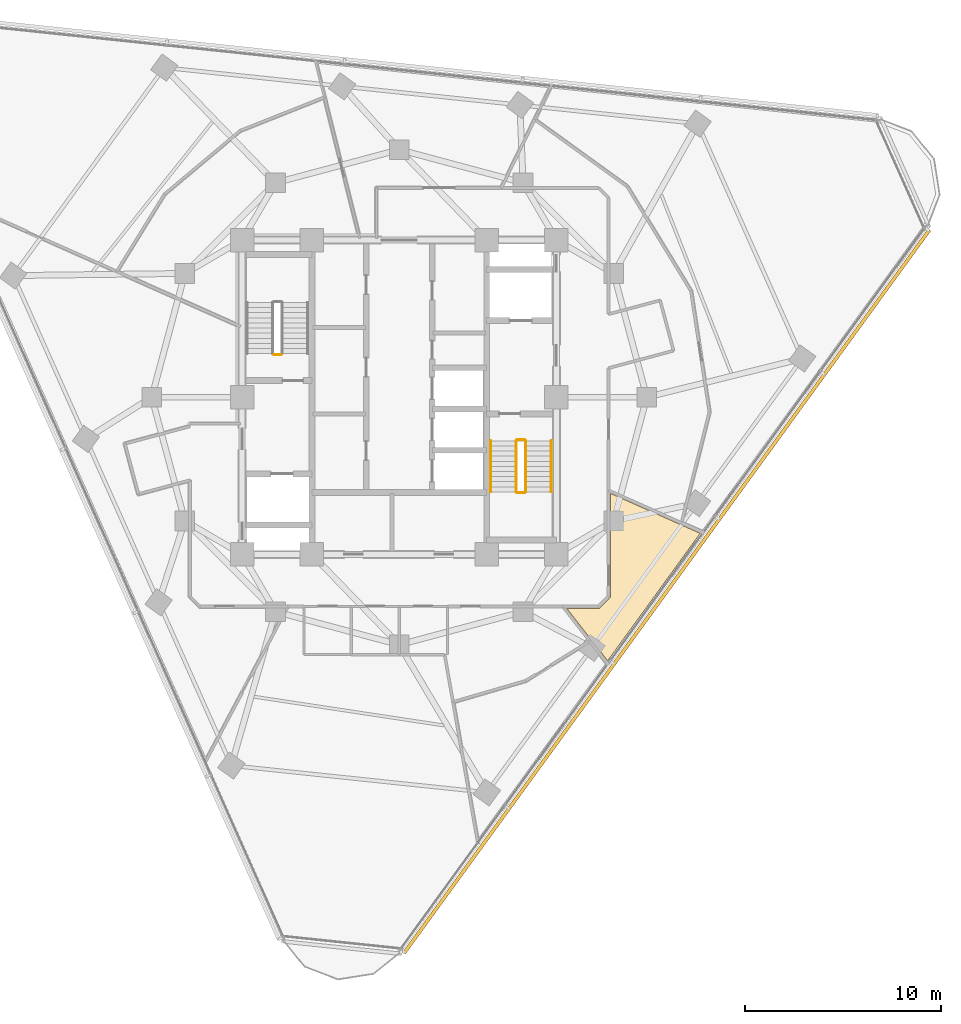
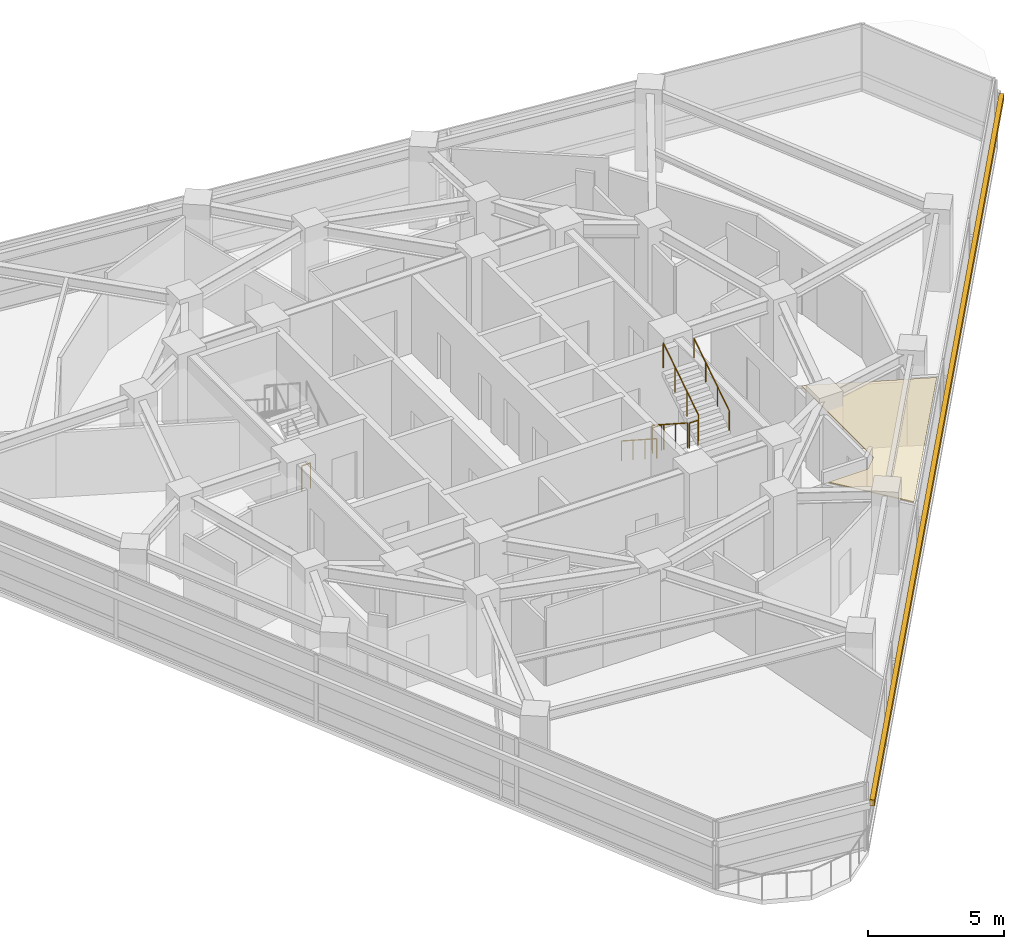
# One storey, part 13 of 15: 7 railings, 1 covering, 1 shading device.
"""IFC4 building model written with IfcOpenShell, lengths in metres."""

from ifc_helpers import new_model, si_unit, direction, frame, origin, origin_2d, place, context, subcontext, project, spatial, polyline, rectangle, circle, outline, extrude, material, layer, layer_set, type_object, element, save


model = new_model("IFC4")

# Units and contexts
model_context = context("Model", 3, precision=1e-05, world=origin(), true_north=direction((0.0, 1.0)))
body_context = subcontext(model_context, "Body", "Model", "MODEL_VIEW")
ifc_project = project(units=[si_unit("LENGTHUNIT", "METRE"), si_unit("AREAUNIT", "SQUARE_METRE"), si_unit("VOLUMEUNIT", "CUBIC_METRE"), si_unit("PLANEANGLEUNIT", "RADIAN"), si_unit("MASSUNIT", "GRAM", prefix="KILO")], contexts=[model_context])

# Site, building, storey
site_placement = place(None, origin())
site = spatial("IfcSite", under=ifc_project, at=site_placement, CompositionType="ELEMENT")
building_placement = place(site_placement, origin())
building = spatial("IfcBuilding", under=site, at=building_placement, Name="Terralouvre Media Tower", CompositionType="ELEMENT")
storey_placement = place(building_placement, frame((0.0, 0.0, 230.0)))
storey = spatial("IfcBuildingStorey", under=building, at=storey_placement, Name="L59", CompositionType="ELEMENT", Elevation=230.0)

# Covering
ifc_material_1 = material(Name="Perforated aluminium acoustic ceiling baffle", Category="aluminium")
ifc_layer_1 = layer(ifc_material_1, 0.0400390625, Name="Perforated Acoustic Metal Tile Ceiling CL-AC1")
ifc_layer_set_1 = layer_set([ifc_layer_1], Name="Perforated aluminium acoustic ceiling baffle")
covering_type = type_object("IfcCoveringType", Name="Perforated Acoustic Metal Tile Ceiling CL-AC1", PredefinedType="CEILING", material=ifc_layer_set_1)
covering_placement = place(storey_placement, frame((0.0, 0.0, 2.97998046875), z_axis=(0.0, 0.0, 1.0), x_axis=(0.587785252292, 0.809016994375, 0.0)))
element("IfcCovering", 1, at=covering_placement, inside=storey, type_object=covering_type, Name="L59 OSINT Verification Control Room 6 Acoustic Ceiling", PredefinedType="CEILING", context=body_context, shape_type="SweptSolid", body=[
    extrude(outline(polyline([(2.357666015625, -11.57470703125), (-1.892822265625, -14.662841796875), (-1.901123046875, -14.668212890625), (-1.90966796875, -14.6728515625), (-1.918701171875, -14.676513671875), (-1.92822265625, -14.67919921875), (-1.93798828125, -14.68115234375), (-1.94775390625, -14.681884765625), (-1.95751953125, -14.681884765625), (-1.96728515625, -14.680908203125), (-2.665771484375, -14.570068359375), (-2.67529296875, -14.568115234375), (-2.6845703125, -14.565185546875), (-2.693603515625, -14.561279296875), (-2.7021484375, -14.556640625), (-2.71044921875, -14.55126953125), (-2.718017578125, -14.544921875), (-2.724853515625, -14.537841796875), (-2.73095703125, -14.5302734375), (-3.685546875, -13.21630859375), (-4.245361328125, -15.166748046875), (-4.6171875, -16.46435546875), (3.397705078125, -16.46484375), (3.1708984375, -15.399658203125), (2.357666015625, -11.57470703125)])), origin(), (0.0, 0.0, 1.0), 0.0400390625),
])

# Railings
ifc_material_2 = material(Name="Stainless steel 316 handrail and balustrade", Category="steel")
ifc_layer_2 = layer(ifc_material_2, 0.050048828125, Name="Stair Flight Wall Handrail HR-INT1")
ifc_layer_set_2 = layer_set([ifc_layer_2], Name="Stainless steel 316 handrail and balustrade")
railing_type_1 = type_object("IfcRailingType", Name="Stair Flight Wall Handrail HR-INT1", PredefinedType="HANDRAIL", material=ifc_layer_set_2)
railing_1_placement = place(storey_placement, frame((4.64990234375, -2.219970703125, 0.168212890625)))
element("IfcRailing", 2, at=railing_1_placement, inside=storey, type_object=railing_type_1, Name="L59 ST-02 stair handrail 1", PredefinedType="HANDRAIL", context=body_context, shape_type="SweptSolid", body=[
    extrude(circle(Radius=0.02392578125, at=origin_2d()), frame((0.0, 0.0, 0.8759765625), z_axis=(0.0, -0.839648411786, 0.543130320075), x_axis=(1.0, 0.0, 0.0)), (0.0, 0.0, 1.0), 3.0966796875),
    extrude(circle(Radius=0.02099609375, at=origin_2d()), origin(), (0.0, 0.0, 1.0), 0.851806640625),
    extrude(circle(Radius=0.02099609375, at=origin_2d()), frame((0.0, -0.86669921875, 0.560546875)), (0.0, 0.0, 1.0), 0.851806640625),
    extrude(circle(Radius=0.02099609375, at=origin_2d()), frame((0.0, -1.7333984375, 1.121337890625)), (0.0, 0.0, 1.0), 0.851806640625),
    extrude(circle(Radius=0.02099609375, at=origin_2d()), frame((0.0, -2.60009765625, 1.681884765625)), (0.0, 0.0, 1.0), 0.851806640625),
])
railing_2_placement = place(storey_placement, frame((7.72998046875, -4.820068359375, 2.01806640625)))
element("IfcRailing", 3, at=railing_2_placement, inside=storey, type_object=railing_type_1, Name="L59 ST-02 stair handrail 2", PredefinedType="HANDRAIL", context=body_context, shape_type="SweptSolid", body=[
    extrude(circle(Radius=0.02392578125, at=origin_2d()), frame((0.0, 0.0, 0.8759765625), z_axis=(0.0, 0.839648411786, 0.543130320075), x_axis=(-1.0, 0.0, 0.0)), (0.0, 0.0, 1.0), 3.0966796875),
    extrude(circle(Radius=0.02099609375, at=origin_2d()), origin(), (0.0, 0.0, 1.0), 0.851806640625),
    extrude(circle(Radius=0.02099609375, at=origin_2d()), frame((0.0, 0.86669921875, 0.560546875)), (0.0, 0.0, 1.0), 0.851806640625),
    extrude(circle(Radius=0.02099609375, at=origin_2d()), frame((0.0, 1.7333984375, 1.121337890625)), (0.0, 0.0, 1.0), 0.851806640625),
    extrude(circle(Radius=0.02099609375, at=origin_2d()), frame((0.0, 2.60009765625, 1.681884765625)), (0.0, 0.0, 1.0), 0.851806640625),
])
ifc_material_3 = material(Name="Stainless steel 316 handrail and balustrade", Category="steel")
ifc_layer_3 = layer(ifc_material_3, 0.050048828125, Name="Stairwell Safety Guardrail GR-INT1")
ifc_layer_set_3 = layer_set([ifc_layer_3], Name="Stainless steel 316 handrail and balustrade")
railing_type_2 = type_object("IfcRailingType", Name="Stairwell Safety Guardrail GR-INT1", PredefinedType="GUARDRAIL", material=ifc_layer_set_3)
railing_3_placement = place(storey_placement, frame((-6.0, 2.169921875, 0.0)))
element("IfcRailing", 4, at=railing_3_placement, inside=storey, type_object=railing_type_2, Name="L59 ST-01 stair guard 4", PredefinedType="GUARDRAIL", context=body_context, shape_type="SweptSolid", body=[
    extrude(circle(Radius=0.02392578125, at=origin_2d()), frame((0.0, 0.0, 1.1259765625), z_axis=(-1.0, 0.0, 0.0), x_axis=(0.0, -1.0, 0.0)), (0.0, 0.0, 1.0), 0.3798828125),
    extrude(circle(Radius=0.02099609375, at=origin_2d()), origin(), (0.0, 0.0, 1.0), 1.101806640625),
    extrude(circle(Radius=0.02099609375, at=origin_2d()), frame((-0.3798828125, 0.0, 0.0)), (0.0, 0.0, 1.0), 1.101806640625),
])
railing_4_placement = place(storey_placement, frame((5.949951171875, -2.219970703125, 0.168212890625)))
element("IfcRailing", 5, at=railing_4_placement, inside=storey, type_object=railing_type_2, Name="L59 ST-02 stair guard 1", PredefinedType="GUARDRAIL", context=body_context, shape_type="SweptSolid", body=[
    extrude(circle(Radius=0.02392578125, at=origin_2d()), frame((0.0, 0.0, 1.1259765625), z_axis=(0.0, -0.839648411786, 0.543130320075), x_axis=(1.0, 0.0, 0.0)), (0.0, 0.0, 1.0), 3.0966796875),
    extrude(circle(Radius=0.02099609375, at=origin_2d()), origin(), (0.0, 0.0, 1.0), 1.101806640625),
    extrude(circle(Radius=0.02099609375, at=origin_2d()), frame((0.0, -0.86669921875, 0.560546875)), (0.0, 0.0, 1.0), 1.101806640625),
    extrude(circle(Radius=0.02099609375, at=origin_2d()), frame((0.0, -1.7333984375, 1.121337890625)), (0.0, 0.0, 1.0), 1.101806640625),
    extrude(circle(Radius=0.02099609375, at=origin_2d()), frame((0.0, -2.60009765625, 1.681884765625)), (0.0, 0.0, 1.0), 1.101806640625),
])
railing_5_placement = place(storey_placement, frame((6.0, -4.8701171875, 1.85009765625)))
element("IfcRailing", 6, at=railing_5_placement, inside=storey, type_object=railing_type_2, Name="L59 ST-02 stair guard 2", PredefinedType="GUARDRAIL", context=body_context, shape_type="SweptSolid", body=[
    extrude(circle(Radius=0.02392578125, at=origin_2d()), frame((0.0, 0.0, 1.1259765625), z_axis=(1.0, 0.0, 0.0), x_axis=(0.0, 1.0, 0.0)), (0.0, 0.0, 1.0), 0.3798828125),
    extrude(circle(Radius=0.02099609375, at=origin_2d()), origin(), (0.0, 0.0, 1.0), 1.101806640625),
    extrude(circle(Radius=0.02099609375, at=origin_2d()), frame((0.3798828125, 0.0, 0.0)), (0.0, 0.0, 1.0), 1.101806640625),
])
railing_6_placement = place(storey_placement, frame((6.429931640625, -4.820068359375, 2.01806640625)))
element("IfcRailing", 7, at=railing_6_placement, inside=storey, type_object=railing_type_2, Name="L59 ST-02 stair guard 3", PredefinedType="GUARDRAIL", context=body_context, shape_type="SweptSolid", body=[
    extrude(circle(Radius=0.02392578125, at=origin_2d()), frame((0.0, 0.0, 1.1259765625), z_axis=(0.0, 0.839648411786, 0.543130320075), x_axis=(-1.0, 0.0, 0.0)), (0.0, 0.0, 1.0), 3.0966796875),
    extrude(circle(Radius=0.02099609375, at=origin_2d()), origin(), (0.0, 0.0, 1.0), 1.101806640625),
    extrude(circle(Radius=0.02099609375, at=origin_2d()), frame((0.0, 0.86669921875, 0.560546875)), (0.0, 0.0, 1.0), 1.101806640625),
    extrude(circle(Radius=0.02099609375, at=origin_2d()), frame((0.0, 1.7333984375, 1.121337890625)), (0.0, 0.0, 1.0), 1.101806640625),
    extrude(circle(Radius=0.02099609375, at=origin_2d()), frame((0.0, 2.60009765625, 1.681884765625)), (0.0, 0.0, 1.0), 1.101806640625),
])
railing_7_placement = place(storey_placement, frame((6.0, -2.169921875, 0.0)))
element("IfcRailing", 8, at=railing_7_placement, inside=storey, type_object=railing_type_2, Name="L59 ST-02 stair guard 4", PredefinedType="GUARDRAIL", context=body_context, shape_type="SweptSolid", body=[
    extrude(circle(Radius=0.02392578125, at=origin_2d()), frame((0.0, 0.0, 1.1259765625), z_axis=(1.0, 0.0, 0.0), x_axis=(0.0, 1.0, 0.0)), (0.0, 0.0, 1.0), 0.3798828125),
    extrude(circle(Radius=0.02099609375, at=origin_2d()), origin(), (0.0, 0.0, 1.0), 1.101806640625),
    extrude(circle(Radius=0.02099609375, at=origin_2d()), frame((0.3798828125, 0.0, 0.0)), (0.0, 0.0, 1.0), 1.101806640625),
])

# Shading device
ifc_material_4 = material(Name="Extruded terracotta baguette sunshade louvres", Category="masonry")
shading_device_type = type_object("IfcShadingDeviceType", Name="Terracotta Baguette Sunshade Louvre Screen TB-LV1", PredefinedType="USERDEFINED", material=ifc_material_4)
shading_device_placement = place(storey_placement, frame((13.611572265625, -9.889404296875, 2.02392578125), z_axis=(0.0, 0.0, 1.0), x_axis=(0.587785300879, 0.809016959074, 0.0)))
element("IfcShadingDevice", 9, at=shading_device_placement, inside=storey, type_object=shading_device_type, Name="CW-L59-F0 Terracotta Baguette Sunshade Louvre", ObjectType="BAGUETTE", PredefinedType="USERDEFINED", context=body_context, shape_type="SweptSolid", body=[
    extrude(rectangle(XDim=45.5, YDim=0.179931640625, at=origin_2d()), origin(), (0.0, 0.0, 1.0), 0.280029296875),
])

save(model, "model.ifc")
